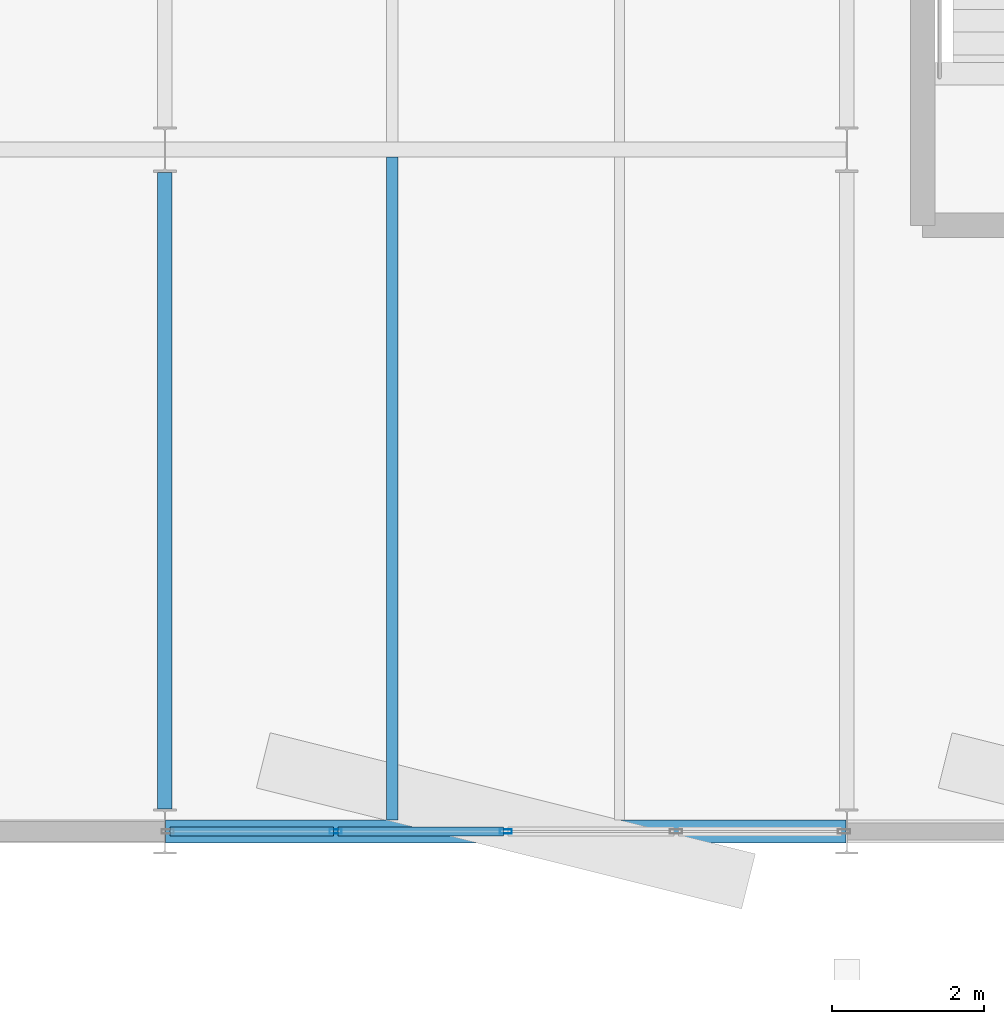
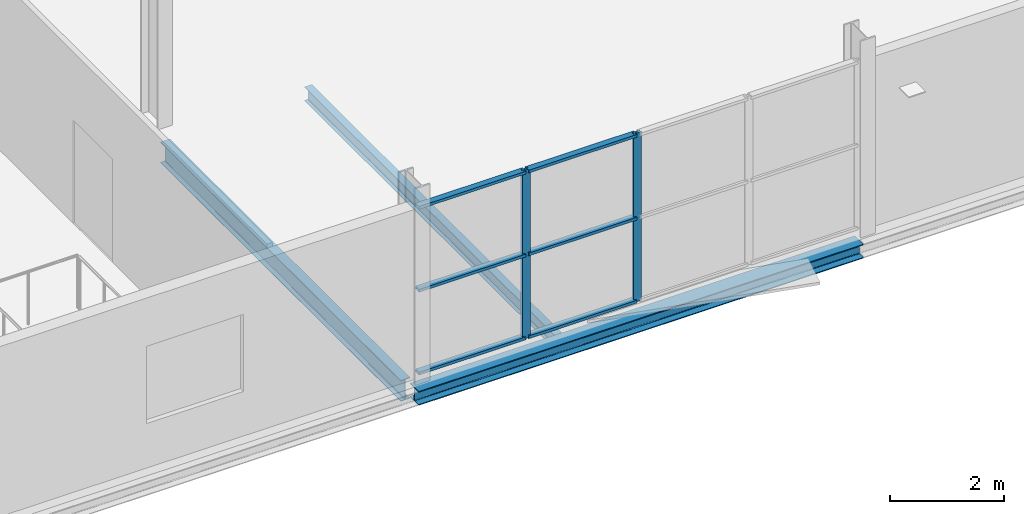
# One storey, part 39 of 88: 8 members, 3 beams, 1 element without a shape of its own.
"""IFC4 building model written with IfcOpenShell, lengths in metres."""

from ifc_helpers import new_model, si_unit, direction, frame, origin, origin_2d, place, context, subcontext, project, spatial, hollow_rectangle, i_section, extrude, material, layer, layer_set, material_profile, profile_set, type_object, element, aggregate, save


model = new_model("IFC4")

# Units and contexts
model_context = context("Model", 3, precision=1e-05, world=origin(), true_north=direction((0.0, 1.0)))
body_context = subcontext(model_context, "Body", "Model", "MODEL_VIEW")
ifc_project = project(units=[si_unit("LENGTHUNIT", "METRE"), si_unit("AREAUNIT", "SQUARE_METRE"), si_unit("VOLUMEUNIT", "CUBIC_METRE"), si_unit("PLANEANGLEUNIT", "RADIAN"), si_unit("MASSUNIT", "GRAM", prefix="KILO")], contexts=[model_context])

# Site, building, storey
site_placement = place(None, origin())
site = spatial("IfcSite", under=ifc_project, at=site_placement, CompositionType="ELEMENT")
building_placement = place(site_placement, origin())
building = spatial("IfcBuilding", under=site, at=building_placement, Name="Deido Ridge Mobility Hub", CompositionType="ELEMENT")
storey_placement = place(building_placement, frame((0.0, 0.0, 16.800048828125)))
storey = spatial("IfcBuildingStorey", under=building, at=storey_placement, Name="L04", CompositionType="ELEMENT", Elevation=16.800048828125)

# Beams
ifc_material_1 = material(Name="Steel S355J2 EN 10025-2", Category="steel")
ifc_material_profile_1 = material_profile(ifc_material_1, i_section(OverallWidth=0.18994140625, OverallDepth=0.449951171875, WebThickness=0.009521484375, FlangeThickness=0.0146484375, FilletRadius=0.02099609375, at=origin_2d()), Name="IPE 450")
ifc_profile_set_1 = profile_set([ifc_material_profile_1], Name="Steel S355J2 EN 10025-2")
beam_type_1 = type_object("IfcBeamType", Name="BM-IPE450", PredefinedType="BEAM", material=ifc_profile_set_1)
beam_1_placement = place(storey_placement, frame((153.0, 0.300048828125, -0.5), z_axis=(0.0, 1.0, 0.0), x_axis=(-1.0, 0.0, 0.0)))
element("IfcBeam", 1, at=beam_1_placement, inside=storey, type_object=beam_type_1, Name="Floor beam B4", PredefinedType="BEAM", context=body_context, shape_type="SweptSolid", body=[
    extrude(i_section(OverallWidth=0.18994140625, OverallDepth=0.449951171875, WebThickness=0.009521484375, FlangeThickness=0.0146484375, FilletRadius=0.02099609375, at=origin_2d()), origin(), (0.0, 0.0, 1.0), 8.39990234375),
])
ifc_material_profile_2 = material_profile(ifc_material_1, i_section(OverallWidth=0.14990234375, OverallDepth=0.300048828125, WebThickness=0.007080078125, FlangeThickness=0.0107421875, FilletRadius=0.014892578125, at=origin_2d()), Name="IPE 300")
ifc_profile_set_2 = profile_set([ifc_material_profile_2], Name="Steel S355J2 EN 10025-2")
beam_type_2 = type_object("IfcBeamType", Name="JST-IPE300", PredefinedType="JOIST", material=ifc_profile_set_2)
beam_2_placement = place(storey_placement, frame((156.0, 0.14990234375, -0.425048828125), z_axis=(0.0, 1.0, 0.0), x_axis=(-1.0, 0.0, 0.0)))
element("IfcBeam", 2, at=beam_2_placement, inside=storey, type_object=beam_type_2, Name="Composite joist J3", PredefinedType="JOIST", context=body_context, shape_type="SweptSolid", body=[
    extrude(i_section(OverallWidth=0.14990234375, OverallDepth=0.300048828125, WebThickness=0.007080078125, FlangeThickness=0.0107421875, FilletRadius=0.014892578125, at=origin_2d()), origin(), (0.0, 0.0, 1.0), 8.75),
])

# Curtain wall, members
ifc_material_2 = material(Name="Anodised aluminium EN AW-6063 T6", Category="aluminium")
ifc_layer = layer(ifc_material_2, 0.195068359375, Name="Anodised aluminium EN AW-6063 T6")
ifc_layer_set = layer_set([ifc_layer], Name="Anodised aluminium EN AW-6063 T6")
curtain_wall_type = type_object("IfcCurtainWallType", Name="CW-UF-3", PredefinedType="USERDEFINED", material=ifc_layer_set)
curtain_wall_placement = place(storey_placement, origin())
curtain_wall = element("IfcCurtainWall", 3, at=curtain_wall_placement, inside=storey, type_object=curtain_wall_type, Name="Unitised curtain wall CW3", ObjectType="UNITISED FACADE", PredefinedType="USERDEFINED")
ifc_material_profile_3 = material_profile(ifc_material_2, hollow_rectangle(XDim=0.06005859375, YDim=0.159912109375, WallThickness=0.00390625, at=origin_2d()), Name="RHS 60x160x4")
ifc_profile_set_3 = profile_set([ifc_material_profile_3], Name="Anodised aluminium EN AW-6063 T6")
member_type_1 = type_object("IfcMemberType", Name="MEM-MUL-60X160", PredefinedType="MULLION", material=ifc_profile_set_3)
member_1_placement = place(storey_placement, frame((155.25390625, 0.0, 0.0), z_axis=(0.0, 0.0, 1.0), x_axis=(0.0, 1.0, 0.0)))
member_1 = element("IfcMember", 4, at=member_1_placement, type_object=member_type_1, Name="CW3 mullion 2", PredefinedType="MULLION", context=body_context, shape_type="SweptSolid", body=[
    extrude(hollow_rectangle(XDim=0.06005859375, YDim=0.159912109375, WallThickness=0.00390625, at=origin_2d()), origin(), (0.0, 0.0, 1.0), 3.599853515625),
])
member_2_placement = place(storey_placement, frame((157.5, 0.0, 0.0), z_axis=(0.0, 0.0, 1.0), x_axis=(0.0, 1.0, 0.0)))
member_2 = element("IfcMember", 5, at=member_2_placement, type_object=member_type_1, Name="CW3 mullion 3", PredefinedType="MULLION", context=body_context, shape_type="SweptSolid", body=[
    extrude(hollow_rectangle(XDim=0.06005859375, YDim=0.159912109375, WallThickness=0.00390625, at=origin_2d()), origin(), (0.0, 0.0, 1.0), 3.599853515625),
])
ifc_material_profile_4 = material_profile(ifc_material_2, hollow_rectangle(XDim=0.125, YDim=0.06005859375, WallThickness=0.00390625, at=origin_2d()), Name="RHS 125x60x4")
ifc_profile_set_4 = profile_set([ifc_material_profile_4], Name="Anodised aluminium EN AW-6063 T6")
member_type_2 = type_object("IfcMemberType", Name="MEM-TRN-125X60", PredefinedType="USERDEFINED", material=ifc_profile_set_4)
member_3_placement = place(storey_placement, frame((153.067626953125, 0.0, 0.030029296875), z_axis=(1.0, 0.0, 0.0), x_axis=(0.0, 1.0, 0.0)))
member_3 = element("IfcMember", 6, at=member_3_placement, type_object=member_type_2, Name="CW3 transom 1.1", ObjectType="TRANSOM", PredefinedType="USERDEFINED", context=body_context, shape_type="SweptSolid", body=[
    extrude(hollow_rectangle(XDim=0.125, YDim=0.06005859375, WallThickness=0.00390625, at=origin_2d()), origin(), (0.0, 0.0, 1.0), 2.15625),
])
member_4_placement = place(storey_placement, frame((153.067626953125, 0.0, 1.800048828125), z_axis=(1.0, 0.0, 0.0), x_axis=(0.0, 1.0, 0.0)))
member_4 = element("IfcMember", 7, at=member_4_placement, type_object=member_type_2, Name="CW3 transom 1.2", ObjectType="TRANSOM", PredefinedType="USERDEFINED", context=body_context, shape_type="SweptSolid", body=[
    extrude(hollow_rectangle(XDim=0.125, YDim=0.06005859375, WallThickness=0.00390625, at=origin_2d()), origin(), (0.0, 0.0, 1.0), 2.15625),
])
member_5_placement = place(storey_placement, frame((153.067626953125, 0.0, 3.570068359375), z_axis=(1.0, 0.0, 0.0), x_axis=(0.0, 1.0, 0.0)))
member_5 = element("IfcMember", 8, at=member_5_placement, type_object=member_type_2, Name="CW3 transom 1.3", ObjectType="TRANSOM", PredefinedType="USERDEFINED", context=body_context, shape_type="SweptSolid", body=[
    extrude(hollow_rectangle(XDim=0.125, YDim=0.06005859375, WallThickness=0.00390625, at=origin_2d()), origin(), (0.0, 0.0, 1.0), 2.15625),
])
member_6_placement = place(storey_placement, frame((155.283935546875, 0.0, 0.030029296875), z_axis=(1.0, 0.0, 0.0), x_axis=(0.0, 1.0, 0.0)))
member_6 = element("IfcMember", 9, at=member_6_placement, type_object=member_type_2, Name="CW3 transom 2.1", ObjectType="TRANSOM", PredefinedType="USERDEFINED", context=body_context, shape_type="SweptSolid", body=[
    extrude(hollow_rectangle(XDim=0.125, YDim=0.06005859375, WallThickness=0.00390625, at=origin_2d()), origin(), (0.0, 0.0, 1.0), 2.18603515625),
])
member_7_placement = place(storey_placement, frame((155.283935546875, 0.0, 1.800048828125), z_axis=(1.0, 0.0, 0.0), x_axis=(0.0, 1.0, 0.0)))
member_7 = element("IfcMember", 10, at=member_7_placement, type_object=member_type_2, Name="CW3 transom 2.2", ObjectType="TRANSOM", PredefinedType="USERDEFINED", context=body_context, shape_type="SweptSolid", body=[
    extrude(hollow_rectangle(XDim=0.125, YDim=0.06005859375, WallThickness=0.00390625, at=origin_2d()), origin(), (0.0, 0.0, 1.0), 2.18603515625),
])
member_8_placement = place(storey_placement, frame((155.283935546875, 0.0, 3.570068359375), z_axis=(1.0, 0.0, 0.0), x_axis=(0.0, 1.0, 0.0)))
member_8 = element("IfcMember", 11, at=member_8_placement, type_object=member_type_2, Name="CW3 transom 2.3", ObjectType="TRANSOM", PredefinedType="USERDEFINED", context=body_context, shape_type="SweptSolid", body=[
    extrude(hollow_rectangle(XDim=0.125, YDim=0.06005859375, WallThickness=0.00390625, at=origin_2d()), origin(), (0.0, 0.0, 1.0), 2.18603515625),
])
aggregate(curtain_wall, [member_1, member_2, member_3, member_4, member_5, member_6, member_7, member_8])

# Beam
ifc_material_profile_5 = material_profile(ifc_material_1, i_section(OverallWidth=0.300048828125, OverallDepth=0.300048828125, WebThickness=0.010986328125, FlangeThickness=0.01904296875, FilletRadius=0.027099609375, at=origin_2d()), Name="HEB 300")
ifc_profile_set_5 = profile_set([ifc_material_profile_5], Name="Steel S355J2 EN 10025-2")
beam_type_3 = type_object("IfcBeamType", Name="SPD-HEB300", PredefinedType="SPANDREL", material=ifc_profile_set_5)
beam_3_placement = place(storey_placement, frame((153.0078125, 0.0, -0.425048828125), z_axis=(1.0, 0.0, 0.0), x_axis=(0.0, 1.0, 0.0)))
element("IfcBeam", 12, at=beam_3_placement, inside=storey, type_object=beam_type_3, Name="Floor beam SP1", PredefinedType="SPANDREL", context=body_context, shape_type="SweptSolid", body=[
    extrude(i_section(OverallWidth=0.300048828125, OverallDepth=0.300048828125, WebThickness=0.010986328125, FlangeThickness=0.01904296875, FilletRadius=0.027099609375, at=origin_2d()), origin(), (0.0, 0.0, 1.0), 8.984375),
])

save(model, "model.ifc")
